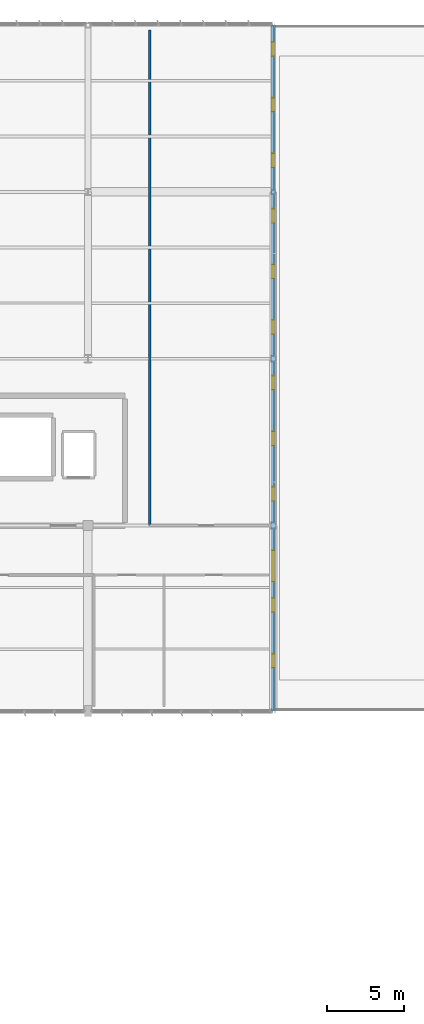
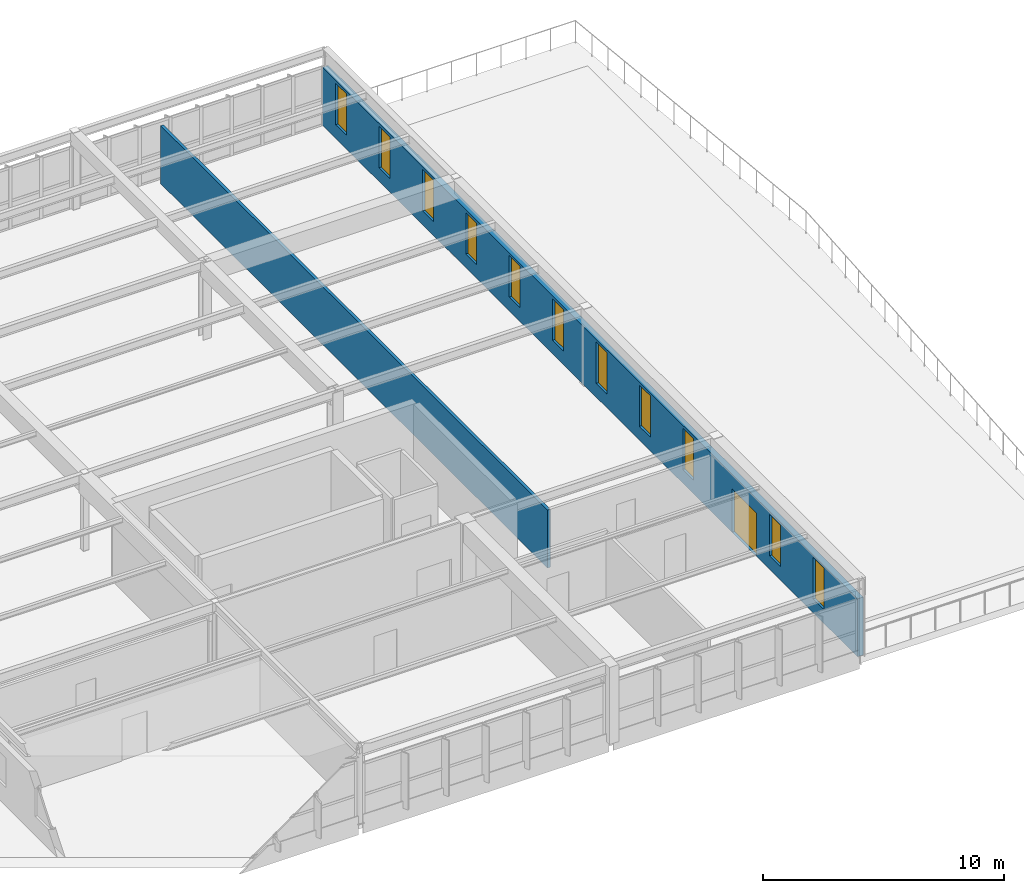
# One storey, part 112 of 128: 11 windows, 2 walls, 1 door, 12 openings.
"""IFC4 building model written with IfcOpenShell, lengths in metres."""

from ifc_helpers import new_model, si_unit, direction, frame, frame_2d, origin, place, context, subcontext, project, spatial, rectangle, extrude, material, layer, layer_set, type_object, element, fill, save


model = new_model("IFC4")

# Units and contexts
model_context = context("Model", 3, precision=1e-05, world=origin(), true_north=direction((0.0, 1.0)))
body_context = subcontext(model_context, "Body", "Model", "MODEL_VIEW")
ifc_project = project(units=[si_unit("LENGTHUNIT", "METRE"), si_unit("AREAUNIT", "SQUARE_METRE"), si_unit("VOLUMEUNIT", "CUBIC_METRE"), si_unit("PLANEANGLEUNIT", "RADIAN"), si_unit("MASSUNIT", "GRAM", prefix="KILO")], contexts=[model_context])

# Site, building, storey
site_placement = place(None, origin())
site = spatial("IfcSite", under=ifc_project, at=site_placement, CompositionType="ELEMENT")
building_placement = place(site_placement, origin())
building = spatial("IfcBuilding", under=site, at=building_placement, Name="Tarnwether General Hospital", CompositionType="ELEMENT")
storey_placement = place(building_placement, frame((0.0, 0.0, 14.39990234375)))
storey = spatial("IfcBuildingStorey", under=building, at=storey_placement, Name="L03", CompositionType="ELEMENT", Elevation=14.39990234375)

# Wall, openings, door, windows
ifc_material_1 = material(Name="Precast concrete 40 MPa", Category="concrete")
ifc_layer_1 = layer(ifc_material_1, 0.280029296875)
ifc_layer_set_1 = layer_set([ifc_layer_1], Name="Precast concrete 40 MPa")
wall_type_1 = type_object("IfcWallType", Name="WL-EX280", PredefinedType="STANDARD", material=ifc_layer_set_1)
wall_1_placement = place(storey_placement, frame((180.0, 126.0, 0.0), z_axis=(0.0, 0.0, 1.0), x_axis=(0.0, -1.0, 0.0)))
wall_1 = element("IfcWall", 1, at=wall_1_placement, inside=storey, type_object=wall_type_1, Name="L03 Outpatient North Step Wall EW-L03-0327", PredefinedType="STANDARD", context=body_context, shape_type="SweptSolid", body=[
    extrude(rectangle(XDim=44.39990234375, YDim=0.280029296875, at=frame_2d((22.199951171875, 0.0))), origin(), (0.0, 0.0, 1.0), 2.93505859375),
])
opening_1_placement = place(wall_1_placement, frame((34.0, 0.0, 0.0)))
opening_1 = element("IfcOpeningElement", 2, at=opening_1_placement, cuts=wall_1, Name="Opening ED-04", PredefinedType="OPENING", context=body_context, shape_type="SweptSolid", body=[
    extrude(rectangle(XDim=2.02001953125, YDim=2.199951171875, at=frame_2d((1.010009765625, 1.10009765625))), frame((0.0, 0.14990234375, 0.0), z_axis=(0.0, -1.0, 0.0), x_axis=(1.0, 0.0, 0.0)), (0.0, 0.0, 1.0), 0.300048828125),
])
opening_2_placement = place(wall_1_placement, frame((1.10009765625, 0.0, 0.695068359375)))
opening_2 = element("IfcOpeningElement", 3, at=opening_2_placement, cuts=wall_1, Name="Opening W-22", PredefinedType="OPENING", context=body_context, shape_type="SweptSolid", body=[
    extrude(rectangle(XDim=0.89990234375, YDim=2.10009765625, at=frame_2d((0.449951171875, 1.050048828125))), frame((0.0, 0.14990234375, 0.0), z_axis=(0.0, -1.0, 0.0), x_axis=(1.0, 0.0, 0.0)), (0.0, 0.0, 1.0), 0.300048828125),
])
opening_3_placement = place(wall_1_placement, frame((4.699951171875, 0.0, 0.695068359375)))
opening_3 = element("IfcOpeningElement", 4, at=opening_3_placement, cuts=wall_1, Name="Opening W-22", PredefinedType="OPENING", context=body_context, shape_type="SweptSolid", body=[
    extrude(rectangle(XDim=0.89990234375, YDim=2.10009765625, at=frame_2d((0.449951171875, 1.050048828125))), frame((0.0, 0.14990234375, 0.0), z_axis=(0.0, -1.0, 0.0), x_axis=(1.0, 0.0, 0.0)), (0.0, 0.0, 1.0), 0.300048828125),
])
opening_4_placement = place(wall_1_placement, frame((8.300048828125, 0.0, 0.695068359375)))
opening_4 = element("IfcOpeningElement", 5, at=opening_4_placement, cuts=wall_1, Name="Opening W-22", PredefinedType="OPENING", context=body_context, shape_type="SweptSolid", body=[
    extrude(rectangle(XDim=0.89990234375, YDim=2.10009765625, at=frame_2d((0.449951171875, 1.050048828125))), frame((0.0, 0.14990234375, 0.0), z_axis=(0.0, -1.0, 0.0), x_axis=(1.0, 0.0, 0.0)), (0.0, 0.0, 1.0), 0.300048828125),
])
opening_5_placement = place(wall_1_placement, frame((11.89990234375, 0.0, 0.695068359375)))
opening_5 = element("IfcOpeningElement", 6, at=opening_5_placement, cuts=wall_1, Name="Opening W-22", PredefinedType="OPENING", context=body_context, shape_type="SweptSolid", body=[
    extrude(rectangle(XDim=0.89990234375, YDim=2.10009765625, at=frame_2d((0.449951171875, 1.050048828125))), frame((0.0, 0.14990234375, 0.0), z_axis=(0.0, -1.0, 0.0), x_axis=(1.0, 0.0, 0.0)), (0.0, 0.0, 1.0), 0.300048828125),
])
opening_6_placement = place(wall_1_placement, frame((15.5, 0.0, 0.695068359375)))
opening_6 = element("IfcOpeningElement", 7, at=opening_6_placement, cuts=wall_1, Name="Opening W-22", PredefinedType="OPENING", context=body_context, shape_type="SweptSolid", body=[
    extrude(rectangle(XDim=0.89990234375, YDim=2.10009765625, at=frame_2d((0.449951171875, 1.050048828125))), frame((0.0, 0.14990234375, 0.0), z_axis=(0.0, -1.0, 0.0), x_axis=(1.0, 0.0, 0.0)), (0.0, 0.0, 1.0), 0.300048828125),
])
opening_7_placement = place(wall_1_placement, frame((19.10009765625, 0.0, 0.695068359375)))
opening_7 = element("IfcOpeningElement", 8, at=opening_7_placement, cuts=wall_1, Name="Opening W-22", PredefinedType="OPENING", context=body_context, shape_type="SweptSolid", body=[
    extrude(rectangle(XDim=0.89990234375, YDim=2.10009765625, at=frame_2d((0.449951171875, 1.050048828125))), frame((0.0, 0.14990234375, 0.0), z_axis=(0.0, -1.0, 0.0), x_axis=(1.0, 0.0, 0.0)), (0.0, 0.0, 1.0), 0.300048828125),
])
opening_8_placement = place(wall_1_placement, frame((22.699951171875, 0.0, 0.695068359375)))
opening_8 = element("IfcOpeningElement", 9, at=opening_8_placement, cuts=wall_1, Name="Opening W-22", PredefinedType="OPENING", context=body_context, shape_type="SweptSolid", body=[
    extrude(rectangle(XDim=0.89990234375, YDim=2.10009765625, at=frame_2d((0.449951171875, 1.050048828125))), frame((0.0, 0.14990234375, 0.0), z_axis=(0.0, -1.0, 0.0), x_axis=(1.0, 0.0, 0.0)), (0.0, 0.0, 1.0), 0.300048828125),
])
opening_9_placement = place(wall_1_placement, frame((26.300048828125, 0.0, 0.695068359375)))
opening_9 = element("IfcOpeningElement", 10, at=opening_9_placement, cuts=wall_1, Name="Opening W-22", PredefinedType="OPENING", context=body_context, shape_type="SweptSolid", body=[
    extrude(rectangle(XDim=0.89990234375, YDim=2.10009765625, at=frame_2d((0.449951171875, 1.050048828125))), frame((0.0, 0.14990234375, 0.0), z_axis=(0.0, -1.0, 0.0), x_axis=(1.0, 0.0, 0.0)), (0.0, 0.0, 1.0), 0.300048828125),
])
opening_10_placement = place(wall_1_placement, frame((29.89990234375, 0.0, 0.695068359375)))
opening_10 = element("IfcOpeningElement", 11, at=opening_10_placement, cuts=wall_1, Name="Opening W-22", PredefinedType="OPENING", context=body_context, shape_type="SweptSolid", body=[
    extrude(rectangle(XDim=0.89990234375, YDim=2.10009765625, at=frame_2d((0.449951171875, 1.050048828125))), frame((0.0, 0.14990234375, 0.0), z_axis=(0.0, -1.0, 0.0), x_axis=(1.0, 0.0, 0.0)), (0.0, 0.0, 1.0), 0.300048828125),
])
opening_11_placement = place(wall_1_placement, frame((37.10009765625, 0.0, 0.695068359375)))
opening_11 = element("IfcOpeningElement", 12, at=opening_11_placement, cuts=wall_1, Name="Opening W-22", PredefinedType="OPENING", context=body_context, shape_type="SweptSolid", body=[
    extrude(rectangle(XDim=0.89990234375, YDim=2.10009765625, at=frame_2d((0.449951171875, 1.050048828125))), frame((0.0, 0.14990234375, 0.0), z_axis=(0.0, -1.0, 0.0), x_axis=(1.0, 0.0, 0.0)), (0.0, 0.0, 1.0), 0.300048828125),
])
opening_12_placement = place(wall_1_placement, frame((40.699951171875, 0.0, 0.695068359375)))
opening_12 = element("IfcOpeningElement", 13, at=opening_12_placement, cuts=wall_1, Name="Opening W-22", PredefinedType="OPENING", context=body_context, shape_type="SweptSolid", body=[
    extrude(rectangle(XDim=0.89990234375, YDim=2.10009765625, at=frame_2d((0.449951171875, 1.050048828125))), frame((0.0, 0.14990234375, 0.0), z_axis=(0.0, -1.0, 0.0), x_axis=(1.0, 0.0, 0.0)), (0.0, 0.0, 1.0), 0.300048828125),
])
ifc_material_2 = material(Name="Anodised aluminium", Category="aluminium")
door_type = type_object("IfcDoorType", Name="DR-EX04", OperationType="NOTDEFINED", PredefinedType="DOOR", material=ifc_material_2)
door_placement = place(opening_1_placement, origin())
door = element("IfcDoor", 14, at=door_placement, inside=storey, type_object=door_type, Name="L03 Outpatient North Roof Garden Door ED-L03-0048", OperationType="DOUBLE_DOOR_SINGLE_SWING", OverallHeight=2.199951171875, OverallWidth=2.02001953125, PredefinedType="DOOR", context=body_context, shape_type="SweptSolid", body=[
    extrude(rectangle(XDim=2.02001953125, YDim=2.199951171875, at=frame_2d((1.010009765625, 1.10009765625))), frame((0.0, 0.02490234375, 0.0), z_axis=(0.0, -1.0, 0.0), x_axis=(1.0, 0.0, 0.0)), (0.0, 0.0, 1.0), 0.050048828125),
])
fill(opening_1, door)
ifc_material_3 = material(Name="Double glazed low-E glass", Category="glass")
window_type = type_object("IfcWindowType", Name="WN-22", PartitioningType="SINGLE_PANEL", PredefinedType="WINDOW", material=ifc_material_3)
window_1_placement = place(opening_2_placement, origin())
window_1 = element("IfcWindow", 15, at=window_1_placement, inside=storey, type_object=window_type, Name="Window WN-L03-0158", OverallHeight=2.10009765625, OverallWidth=0.89990234375, PartitioningType="SINGLE_PANEL", PredefinedType="WINDOW", context=body_context, shape_type="SweptSolid", body=[
    extrude(rectangle(XDim=0.89990234375, YDim=2.10009765625, at=frame_2d((0.449951171875, 1.050048828125))), frame((0.0, 0.030029296875, 0.0), z_axis=(0.0, -1.0, 0.0), x_axis=(1.0, 0.0, 0.0)), (0.0, 0.0, 1.0), 0.06005859375),
])
fill(opening_2, window_1)
window_2_placement = place(opening_3_placement, origin())
window_2 = element("IfcWindow", 16, at=window_2_placement, inside=storey, type_object=window_type, Name="Window WN-L03-0159", OverallHeight=2.10009765625, OverallWidth=0.89990234375, PartitioningType="SINGLE_PANEL", PredefinedType="WINDOW", context=body_context, shape_type="SweptSolid", body=[
    extrude(rectangle(XDim=0.89990234375, YDim=2.10009765625, at=frame_2d((0.449951171875, 1.050048828125))), frame((0.0, 0.030029296875, 0.0), z_axis=(0.0, -1.0, 0.0), x_axis=(1.0, 0.0, 0.0)), (0.0, 0.0, 1.0), 0.06005859375),
])
fill(opening_3, window_2)
window_3_placement = place(opening_4_placement, origin())
window_3 = element("IfcWindow", 17, at=window_3_placement, inside=storey, type_object=window_type, Name="Window WN-L03-0160", OverallHeight=2.10009765625, OverallWidth=0.89990234375, PartitioningType="SINGLE_PANEL", PredefinedType="WINDOW", context=body_context, shape_type="SweptSolid", body=[
    extrude(rectangle(XDim=0.89990234375, YDim=2.10009765625, at=frame_2d((0.449951171875, 1.050048828125))), frame((0.0, 0.030029296875, 0.0), z_axis=(0.0, -1.0, 0.0), x_axis=(1.0, 0.0, 0.0)), (0.0, 0.0, 1.0), 0.06005859375),
])
fill(opening_4, window_3)
window_4_placement = place(opening_5_placement, origin())
window_4 = element("IfcWindow", 18, at=window_4_placement, inside=storey, type_object=window_type, Name="Window WN-L03-0161", OverallHeight=2.10009765625, OverallWidth=0.89990234375, PartitioningType="SINGLE_PANEL", PredefinedType="WINDOW", context=body_context, shape_type="SweptSolid", body=[
    extrude(rectangle(XDim=0.89990234375, YDim=2.10009765625, at=frame_2d((0.449951171875, 1.050048828125))), frame((0.0, 0.030029296875, 0.0), z_axis=(0.0, -1.0, 0.0), x_axis=(1.0, 0.0, 0.0)), (0.0, 0.0, 1.0), 0.06005859375),
])
fill(opening_5, window_4)
window_5_placement = place(opening_6_placement, origin())
window_5 = element("IfcWindow", 19, at=window_5_placement, inside=storey, type_object=window_type, Name="Window WN-L03-0162", OverallHeight=2.10009765625, OverallWidth=0.89990234375, PartitioningType="SINGLE_PANEL", PredefinedType="WINDOW", context=body_context, shape_type="SweptSolid", body=[
    extrude(rectangle(XDim=0.89990234375, YDim=2.10009765625, at=frame_2d((0.449951171875, 1.050048828125))), frame((0.0, 0.030029296875, 0.0), z_axis=(0.0, -1.0, 0.0), x_axis=(1.0, 0.0, 0.0)), (0.0, 0.0, 1.0), 0.06005859375),
])
fill(opening_6, window_5)
window_6_placement = place(opening_7_placement, origin())
window_6 = element("IfcWindow", 20, at=window_6_placement, inside=storey, type_object=window_type, Name="Window WN-L03-0163", OverallHeight=2.10009765625, OverallWidth=0.89990234375, PartitioningType="SINGLE_PANEL", PredefinedType="WINDOW", context=body_context, shape_type="SweptSolid", body=[
    extrude(rectangle(XDim=0.89990234375, YDim=2.10009765625, at=frame_2d((0.449951171875, 1.050048828125))), frame((0.0, 0.030029296875, 0.0), z_axis=(0.0, -1.0, 0.0), x_axis=(1.0, 0.0, 0.0)), (0.0, 0.0, 1.0), 0.06005859375),
])
fill(opening_7, window_6)
window_7_placement = place(opening_8_placement, origin())
window_7 = element("IfcWindow", 21, at=window_7_placement, inside=storey, type_object=window_type, Name="Window WN-L03-0164", OverallHeight=2.10009765625, OverallWidth=0.89990234375, PartitioningType="SINGLE_PANEL", PredefinedType="WINDOW", context=body_context, shape_type="SweptSolid", body=[
    extrude(rectangle(XDim=0.89990234375, YDim=2.10009765625, at=frame_2d((0.449951171875, 1.050048828125))), frame((0.0, 0.030029296875, 0.0), z_axis=(0.0, -1.0, 0.0), x_axis=(1.0, 0.0, 0.0)), (0.0, 0.0, 1.0), 0.06005859375),
])
fill(opening_8, window_7)
window_8_placement = place(opening_9_placement, origin())
window_8 = element("IfcWindow", 22, at=window_8_placement, inside=storey, type_object=window_type, Name="Window WN-L03-0165", OverallHeight=2.10009765625, OverallWidth=0.89990234375, PartitioningType="SINGLE_PANEL", PredefinedType="WINDOW", context=body_context, shape_type="SweptSolid", body=[
    extrude(rectangle(XDim=0.89990234375, YDim=2.10009765625, at=frame_2d((0.449951171875, 1.050048828125))), frame((0.0, 0.030029296875, 0.0), z_axis=(0.0, -1.0, 0.0), x_axis=(1.0, 0.0, 0.0)), (0.0, 0.0, 1.0), 0.06005859375),
])
fill(opening_9, window_8)
window_9_placement = place(opening_10_placement, origin())
window_9 = element("IfcWindow", 23, at=window_9_placement, inside=storey, type_object=window_type, Name="Window WN-L03-0166", OverallHeight=2.10009765625, OverallWidth=0.89990234375, PartitioningType="SINGLE_PANEL", PredefinedType="WINDOW", context=body_context, shape_type="SweptSolid", body=[
    extrude(rectangle(XDim=0.89990234375, YDim=2.10009765625, at=frame_2d((0.449951171875, 1.050048828125))), frame((0.0, 0.030029296875, 0.0), z_axis=(0.0, -1.0, 0.0), x_axis=(1.0, 0.0, 0.0)), (0.0, 0.0, 1.0), 0.06005859375),
])
fill(opening_10, window_9)
window_10_placement = place(opening_11_placement, origin())
window_10 = element("IfcWindow", 24, at=window_10_placement, inside=storey, type_object=window_type, Name="Window WN-L03-0167", OverallHeight=2.10009765625, OverallWidth=0.89990234375, PartitioningType="SINGLE_PANEL", PredefinedType="WINDOW", context=body_context, shape_type="SweptSolid", body=[
    extrude(rectangle(XDim=0.89990234375, YDim=2.10009765625, at=frame_2d((0.449951171875, 1.050048828125))), frame((0.0, 0.030029296875, 0.0), z_axis=(0.0, -1.0, 0.0), x_axis=(1.0, 0.0, 0.0)), (0.0, 0.0, 1.0), 0.06005859375),
])
fill(opening_11, window_10)
window_11_placement = place(opening_12_placement, origin())
window_11 = element("IfcWindow", 25, at=window_11_placement, inside=storey, type_object=window_type, Name="Window WN-L03-0168", OverallHeight=2.10009765625, OverallWidth=0.89990234375, PartitioningType="SINGLE_PANEL", PredefinedType="WINDOW", context=body_context, shape_type="SweptSolid", body=[
    extrude(rectangle(XDim=0.89990234375, YDim=2.10009765625, at=frame_2d((0.449951171875, 1.050048828125))), frame((0.0, 0.030029296875, 0.0), z_axis=(0.0, -1.0, 0.0), x_axis=(1.0, 0.0, 0.0)), (0.0, 0.0, 1.0), 0.06005859375),
])
fill(opening_12, window_11)

# Wall
ifc_material_4 = material(Name="Gypsum plasterboard")
ifc_layer_2 = layer(ifc_material_4, 0.139892578125)
ifc_layer_set_2 = layer_set([ifc_layer_2], Name="Gypsum plasterboard")
wall_type_2 = type_object("IfcWallType", Name="WL-PT140", PredefinedType="PARTITIONING", material=ifc_layer_set_2)
wall_2_placement = place(storey_placement, frame((172.00390625, 93.60009765625, 0.0), z_axis=(0.0, 0.0, 1.0), x_axis=(0.0, 1.0, 0.0)))
element("IfcWall", 26, at=wall_2_placement, inside=storey, type_object=wall_type_2, Name="Interior Partition PT-L03-0370", PredefinedType="PARTITIONING", context=body_context, shape_type="SweptSolid", body=[
    extrude(rectangle(XDim=32.099853515625, YDim=0.139892578125, at=frame_2d((16.0498046875, 0.0))), origin(), (0.0, 0.0, 1.0), 2.93505859375),
])

save(model, "model.ifc")
